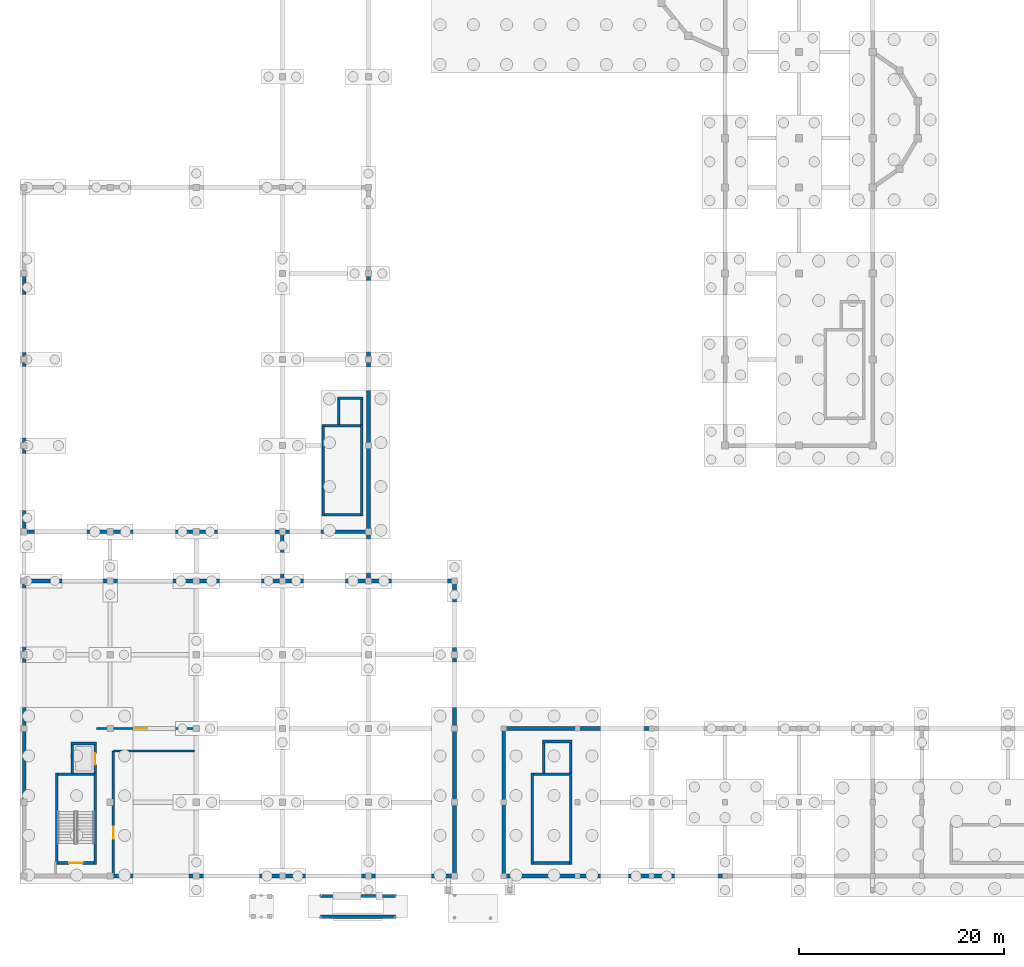
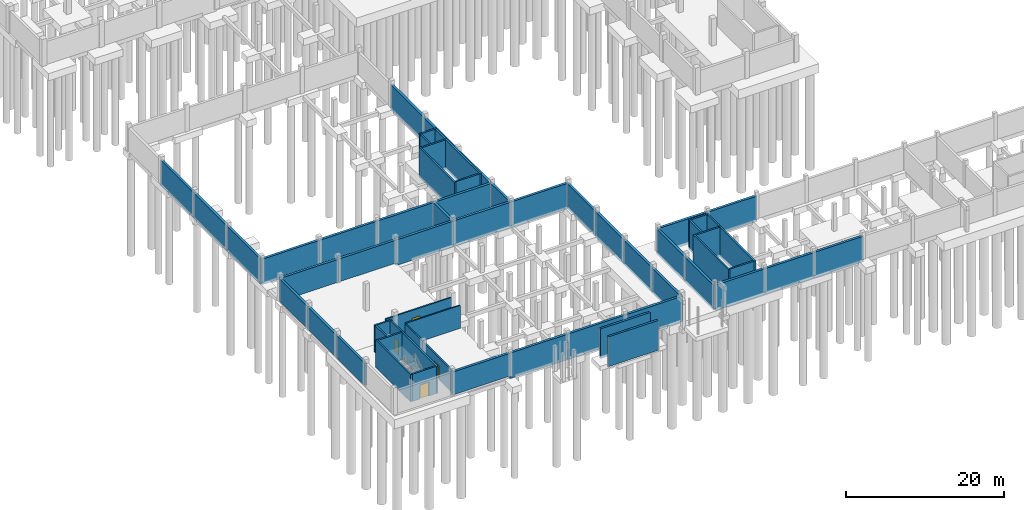
# One storey, part 15 of 22: 61 walls, 4 doors, 4 openings.
"""IFC4 building model written with IfcOpenShell, lengths in metres."""

import ifcopenshell
import ifcopenshell.guid

model = None  # the IFC model being written
_history = None  # IfcOwnerHistory: only IFC2X3 demands one
_inside = {}  # id of a spatial element -> (the spatial element, [elements in it])
_under = {}  # id of a project, library or spatial element -> (it, [spatial elements below it])
_declared = {}  # id of a project -> (the project, [libraries it declares])
_typed = {}  # id of a type object -> (the type object, [elements of that type])
_made_of = {}  # id of a material, layer set ... -> (it, [elements and type objects made of it])


def new_model(schema):
    """Start an empty IFC model of exactly this schema.

    Asked for "IFC4X3", IfcOpenShell would pick the latest addendum, in which some entities
    have other attributes; the version numbers below select the first issue.
    IFC2X3 requires an IfcOwnerHistory on every rooted entity: one is made here for all.
    """
    global model, _history
    if schema == "IFC4X3":
        model = ifcopenshell.file(schema_version=(4, 3, 0, 0))
    else:
        model = ifcopenshell.file(schema=schema)
    _inside.clear()
    _under.clear()
    _declared.clear()
    _typed.clear()
    _made_of.clear()
    _history = None
    if model.schema == "IFC2X3":
        org = make("IfcOrganization", Name="unknown")
        user = make(
            "IfcPersonAndOrganization",
            ThePerson=make("IfcPerson", FamilyName="unknown"),
            TheOrganization=org,
        )
        app = make(
            "IfcApplication",
            ApplicationDeveloper=org,
            Version="unknown",
            ApplicationFullName="unknown",
            ApplicationIdentifier="unknown",
        )
        _history = make(
            "IfcOwnerHistory",
            OwningUser=user,
            OwningApplication=app,
            ChangeAction="ADDED",
            CreationDate=0,
        )
    return model


def make(cls, **values):
    """One entity of the class cls with the attributes given. An attribute that is None is left unset."""
    return model.create_entity(
        cls, **{name: value for name, value in values.items() if value is not None}
    )


def rooted(cls, **values):
    """An entity with a GlobalId (a new one), such as an element, a storey or a relation."""
    return make(cls, GlobalId=ifcopenshell.guid.new(), OwnerHistory=_history, **values)


def si_unit(unit_type, name, prefix=None):
    """IfcSIUnit, for example si_unit("LENGTHUNIT", "METRE", prefix="MILLI")."""
    return make("IfcSIUnit", UnitType=unit_type, Prefix=prefix, Name=name)


def assignment(units):
    """IfcUnitAssignment: the units of a project."""
    return None if units is None else make("IfcUnitAssignment", Units=units)


def point(xyz):
    """IfcCartesianPoint."""
    return None if xyz is None else make("IfcCartesianPoint", Coordinates=xyz)


def direction(xyz):
    """IfcDirection."""
    return None if xyz is None else make("IfcDirection", DirectionRatios=xyz)


def frame(location, z_axis=None, x_axis=None):
    """IfcAxis2Placement3D, a coordinate frame: its origin and axes. An axis left out is left unset."""
    return make(
        "IfcAxis2Placement3D",
        Location=point(location),
        Axis=direction(z_axis),
        RefDirection=direction(x_axis),
    )


def frame_2d(location, x_axis=None):
    """IfcAxis2Placement2D, a coordinate frame in the plane: its origin and x axis."""
    return make(
        "IfcAxis2Placement2D", Location=point(location), RefDirection=direction(x_axis)
    )


def origin():
    """The frame at (0, 0, 0) with its axes left unset."""
    return frame((0.0, 0.0, 0.0))


def place(relative_to, where):
    """IfcLocalPlacement: puts the frame where relative to a parent placement (None: the world)."""
    return make(
        "IfcLocalPlacement", PlacementRelTo=relative_to, RelativePlacement=where
    )


def context(
    kind, dimensions, precision=None, world=None, true_north=None, identifier=None
):
    """IfcGeometricRepresentationContext, for example the 3D "Model" context."""
    return make(
        "IfcGeometricRepresentationContext",
        ContextIdentifier=identifier,
        ContextType=kind,
        CoordinateSpaceDimension=dimensions,
        Precision=precision,
        WorldCoordinateSystem=world,
        TrueNorth=true_north,
    )


def subcontext(parent, identifier, kind, view, scale=None):
    """IfcGeometricRepresentationSubContext, for example "Body" below "Model"."""
    return make(
        "IfcGeometricRepresentationSubContext",
        ContextIdentifier=identifier,
        ContextType=kind,
        ParentContext=parent,
        TargetScale=scale,
        TargetView=view,
    )


def project(units=None, contexts=None):
    """IfcProject with its units and contexts."""
    return rooted(
        "IfcProject",
        Name="project",
        RepresentationContexts=contexts,
        UnitsInContext=assignment(units),
    )


def spatial(cls, under=None, at=None, **own):
    """A site, building, storey or space (cls), placed at a placement, below another one or the project."""
    s = rooted(cls, ObjectPlacement=at, **own)
    if under is not None:
        _under.setdefault(under.id(), (under, []))[1].append(s)
    return s


def profile(cls, at=None, kind="AREA", **sizes):
    """A parametric profile (cls). Its sizes go by their IFC names, for example OverallWidth=200.0."""
    return make(cls, ProfileType=kind, Position=at, **sizes)


def rectangle(**sizes):
    """IfcRectangleProfileDef."""
    return profile("IfcRectangleProfileDef", **sizes)


def extrude(swept, where, along, depth):
    """IfcExtrudedAreaSolid: the profile swept, set in the frame where, extruded along a direction by depth."""
    return make(
        "IfcExtrudedAreaSolid",
        SweptArea=swept,
        Position=where,
        ExtrudedDirection=direction(along),
        Depth=depth,
    )


def shape(context_of_items, identifier, shape_type, items):
    """IfcShapeRepresentation: the items that make up one representation, for example the "Body"."""
    return make(
        "IfcShapeRepresentation",
        ContextOfItems=context_of_items,
        RepresentationIdentifier=identifier,
        RepresentationType=shape_type,
        Items=items,
    )


def material(Name=None, Category=None):
    """IfcMaterial."""
    return make("IfcMaterial", Name=Name, Category=Category)


def layer(
    of_material, thickness, ventilated=None, Name=None, Category=None, Priority=None
):
    """IfcMaterialLayer: one layer of a wall or slab, of a material (None: an air gap)."""
    return make(
        "IfcMaterialLayer",
        Material=of_material,
        LayerThickness=thickness,
        IsVentilated=ventilated,
        Name=Name,
        Category=Category,
        Priority=Priority,
    )


def layer_set(layers, Name=None):
    """IfcMaterialLayerSet."""
    return make("IfcMaterialLayerSet", MaterialLayers=layers, LayerSetName=Name)


def made_of(thing, what):
    """Note that an element or type object is made of a material, layer set ...; save() writes the relation."""
    if what is not None:
        _made_of.setdefault(what.id(), (what, []))[1].append(thing)
    return thing


def type_object(cls, material=None, **own):
    """A type object (cls), such as IfcWallType, which elements share."""
    return made_of(rooted(cls, **own), material)


def element(
    cls,
    number,
    at=None,
    inside=None,
    cuts=None,
    type_object=None,
    material=None,
    context=None,
    identifier="Body",
    shape_type=None,
    held_by="IfcProductDefinitionShape",
    body=None,
    shapes=None,
    **own,
):
    """One element of the class cls, such as IfcWall. Its Tag is "e" and its number.

    at: its placement. inside: the storey or other place that contains it. cuts: it is an
    opening in that element (IfcRelVoidsElement). A single representation is given by context,
    identifier, shape_type and body (its items); several are given by shapes. held_by: the class
    of the entity that holds the representations. save() writes the other relations.
    """
    e = rooted(cls, Tag="e%d" % number, ObjectPlacement=at, **own)
    if body is not None:
        shapes = [shape(context, identifier, shape_type, body)]
    if shapes is not None:
        e.Representation = make(held_by, Representations=shapes)
    if inside is not None:
        _inside.setdefault(inside.id(), (inside, []))[1].append(e)
    if cuts is not None:
        rooted(
            "IfcRelVoidsElement", RelatingBuildingElement=cuts, RelatedOpeningElement=e
        )
    if type_object is not None:
        _typed.setdefault(type_object.id(), (type_object, []))[1].append(e)
    return made_of(e, material)


def fill(opening, filler):
    """IfcRelFillsElement: the door or window that sits in an opening."""
    return rooted(
        "IfcRelFillsElement",
        RelatingOpeningElement=opening,
        RelatedBuildingElement=filler,
    )


def aggregate(whole, parts):
    """IfcRelAggregates: a whole, such as a stair, and the parts it consists of."""
    return rooted("IfcRelAggregates", RelatingObject=whole, RelatedObjects=parts)


def save(model, path):
    """Write the relations noted so far, then the file.

    IfcRelAggregates (storeys below a building ...), IfcRelContainedInSpatialStructure (elements
    in a storey), IfcRelDefinesByType, IfcRelAssociatesMaterial and IfcRelDeclares: one each for
    every whole, place, type object, material and project.
    """
    for whole, parts in _under.values():
        aggregate(whole, parts)
    for where, things in _inside.values():
        rooted(
            "IfcRelContainedInSpatialStructure",
            RelatedElements=things,
            RelatingStructure=where,
        )
    for kind, things in _typed.values():
        rooted("IfcRelDefinesByType", RelatedObjects=things, RelatingType=kind)
    for what, things in _made_of.values():
        rooted("IfcRelAssociatesMaterial", RelatedObjects=things, RelatingMaterial=what)
    for by, libraries in _declared.values():
        rooted("IfcRelDeclares", RelatingContext=by, RelatedDefinitions=libraries)
    model.write(path)


model = new_model("IFC4")

# Units and contexts
model_context = context("Model", 3, precision=1e-05, world=origin(), true_north=direction((0.0, 1.0)))
body_context = subcontext(model_context, "Body", "Model", "MODEL_VIEW")
ifc_project = project(units=[si_unit("LENGTHUNIT", "METRE"), si_unit("AREAUNIT", "SQUARE_METRE"), si_unit("VOLUMEUNIT", "CUBIC_METRE"), si_unit("PLANEANGLEUNIT", "RADIAN"), si_unit("MASSUNIT", "GRAM", prefix="KILO")], contexts=[model_context])

# Site, building, storey
site_placement = place(None, origin())
site = spatial("IfcSite", under=ifc_project, at=site_placement, CompositionType="ELEMENT")
building_placement = place(site_placement, origin())
building = spatial("IfcBuilding", under=site, at=building_placement, Name="Kahlenmark Community Centre", CompositionType="ELEMENT")
storey_placement = place(building_placement, frame((0.0, 0.0, -4.199951171875)))
storey = spatial("IfcBuildingStorey", under=building, at=storey_placement, Name="B1", CompositionType="ELEMENT", Elevation=-4.199951171875)

# Wall, opening, door
ifc_material_1 = material(Name="Concrete C35/45", Category="concrete")
ifc_layer_1 = layer(ifc_material_1, 0.25)
ifc_layer_set_1 = layer_set([ifc_layer_1], Name="Concrete C35/45")
wall_type_1 = type_object("IfcWallType", Name="WT-CORE-250", PredefinedType="SHEAR", material=ifc_layer_set_1)
wall_1_placement = place(storey_placement, frame((7.300048828125, 10.074951171875, 0.0), z_axis=(0.0, 0.0, 1.0), x_axis=(1.0, 0.0, 0.0)))
wall_1 = element("IfcWall", 1, at=wall_1_placement, inside=storey, type_object=wall_type_1, Name="Core K1 shear wall WL-CORE-K1-B1-0001", PredefinedType="SHEAR", context=body_context, shape_type="SweptSolid", body=[
    extrude(rectangle(XDim=3.5, YDim=0.25, at=frame_2d((1.75, 0.0))), origin(), (0.0, 0.0, 1.0), 4.199951171875),
])
opening_1_placement = place(wall_1_placement, frame((1.10009765625, 0.0, -0.010009765625)))
opening_1 = element("IfcOpeningElement", 2, at=opening_1_placement, cuts=wall_1, Name="Opening FD-K1-B1", PredefinedType="OPENING", context=body_context, shape_type="SweptSolid", body=[
    extrude(rectangle(XDim=1.300048828125, YDim=2.159912109375, at=frame_2d((0.64990234375, 1.080078125))), frame((0.0, 0.135009765625, 0.0), z_axis=(0.0, -1.0, 0.0), x_axis=(1.0, 0.0, 0.0)), (0.0, 0.0, 1.0), 0.27001953125),
])
ifc_material_2 = material(Name="Fire-rated steel-framed timber door FD60S", Category="steel")
door_type_1 = type_object("IfcDoorType", Name="DT-FD-K1-B1", OperationType="NOTDEFINED", PredefinedType="DOOR", material=ifc_material_2)
door_1_placement = place(opening_1_placement, frame((0.0, 0.0, 0.010009765625)))
door_1 = element("IfcDoor", 3, at=door_1_placement, inside=storey, type_object=door_type_1, Name="Core K1 stair fire door B1", OperationType="SINGLE_SWING_RIGHT", OverallHeight=2.14990234375, OverallWidth=1.300048828125, PredefinedType="DOOR", context=body_context, shape_type="SweptSolid", body=[
    extrude(rectangle(XDim=1.300048828125, YDim=2.14990234375, at=frame_2d((0.64990234375, 1.074951171875))), frame((0.0, 0.02490234375, 0.0), z_axis=(0.0, -1.0, 0.0), x_axis=(1.0, 0.0, 0.0)), (0.0, 0.0, 1.0), 0.050048828125),
])
fill(opening_1, door_1)

# Walls
wall_2_placement = place(storey_placement, frame((7.175048828125, 9.949951171875, 0.0), z_axis=(0.0, 0.0, 1.0), x_axis=(0.0, 1.0, 0.0)))
element("IfcWall", 4, at=wall_2_placement, inside=storey, type_object=wall_type_1, Name="Core K1 shear wall WL-CORE-K1-B1-0002", PredefinedType="SHEAR", context=body_context, shape_type="SweptSolid", body=[
    extrude(rectangle(XDim=8.900146484375, YDim=0.25, at=frame_2d((4.4501953125, 0.0))), origin(), (0.0, 0.0, 1.0), 4.199951171875),
])
wall_3_placement = place(storey_placement, frame((10.800048828125, 18.72509765625, 0.0), z_axis=(0.0, 0.0, 1.0), x_axis=(-1.0, 0.0, 0.0)))
element("IfcWall", 5, at=wall_3_placement, inside=storey, type_object=wall_type_1, Name="Core K1 shear wall WL-CORE-K1-B1-0003", PredefinedType="SHEAR", context=body_context, shape_type="SweptSolid", body=[
    extrude(rectangle(XDim=3.5, YDim=0.25, at=frame_2d((1.75, 0.0))), origin(), (0.0, 0.0, 1.0), 4.199951171875),
])
wall_4_placement = place(storey_placement, frame((10.925048828125, 9.949951171875, 0.0), z_axis=(0.0, 0.0, 1.0), x_axis=(0.0, 1.0, 0.0)))
element("IfcWall", 6, at=wall_4_placement, inside=storey, type_object=wall_type_1, Name="Core K1 shear wall WL-CORE-K1-B1-0004", PredefinedType="SHEAR", context=body_context, shape_type="SweptSolid", body=[
    extrude(rectangle(XDim=8.900146484375, YDim=0.25, at=frame_2d((4.4501953125, 0.0))), origin(), (0.0, 0.0, 1.0), 4.199951171875),
])
wall_5_placement = place(storey_placement, frame((8.590087890625, 21.735107421875, 0.0), z_axis=(0.0, 0.0, 1.0), x_axis=(1.0, 0.0, 0.0)))
element("IfcWall", 7, at=wall_5_placement, inside=storey, type_object=wall_type_1, Name="Core K1 shear wall WL-CORE-K1-B1-0005", PredefinedType="SHEAR", context=body_context, shape_type="SweptSolid", body=[
    extrude(rectangle(XDim=2.4599609375, YDim=0.25, at=frame_2d((1.22998046875, 0.0))), origin(), (0.0, 0.0, 1.0), 4.199951171875),
])

# Wall, opening, door
wall_6_placement = place(storey_placement, frame((10.925048828125, 18.85009765625, 0.0), z_axis=(0.0, 0.0, 1.0), x_axis=(0.0, 1.0, 0.0)))
wall_6 = element("IfcWall", 8, at=wall_6_placement, inside=storey, type_object=wall_type_1, Name="Core K1 shear wall WL-CORE-K1-B1-0006", PredefinedType="SHEAR", context=body_context, shape_type="SweptSolid", body=[
    extrude(rectangle(XDim=2.760009765625, YDim=0.25, at=frame_2d((1.3798828125, 0.0))), origin(), (0.0, 0.0, 1.0), 4.199951171875),
])
opening_2_placement = place(wall_6_placement, frame((0.830078125, 0.0, -0.010009765625)))
opening_2 = element("IfcOpeningElement", 9, at=opening_2_placement, cuts=wall_6, Name="Opening LD-1", PredefinedType="OPENING", context=body_context, shape_type="SweptSolid", body=[
    extrude(rectangle(XDim=1.10009765625, YDim=2.159912109375, at=frame_2d((0.550048828125, 1.080078125))), frame((0.0, 0.135009765625, 0.0), z_axis=(0.0, -1.0, 0.0), x_axis=(1.0, 0.0, 0.0)), (0.0, 0.0, 1.0), 0.27001953125),
])
ifc_material_3 = material(Name="Brushed stainless steel sliding lift landing door", Category="steel")
door_type_2 = type_object("IfcDoorType", Name="DT-LD-K1", OperationType="SLIDING_TO_LEFT", PredefinedType="DOOR", material=ifc_material_3)
door_2_placement = place(opening_2_placement, frame((0.0, 0.0, 0.010009765625)))
door_2 = element("IfcDoor", 10, at=door_2_placement, inside=storey, type_object=door_type_2, Name="Lift LF-01 sliding landing door B1", OperationType="SLIDING_TO_LEFT", OverallHeight=2.14990234375, OverallWidth=1.10009765625, PredefinedType="DOOR", context=body_context, shape_type="SweptSolid", body=[
    extrude(rectangle(XDim=1.10009765625, YDim=2.14990234375, at=frame_2d((0.550048828125, 1.074951171875))), frame((0.0, 0.02490234375, 0.0), z_axis=(0.0, -1.0, 0.0), x_axis=(1.0, 0.0, 0.0)), (0.0, 0.0, 1.0), 0.050048828125),
])
fill(opening_2, door_2)

# Walls
wall_7_placement = place(storey_placement, frame((8.715087890625, 18.85009765625, 0.0), z_axis=(0.0, 0.0, 1.0), x_axis=(0.0, 1.0, 0.0)))
element("IfcWall", 11, at=wall_7_placement, inside=storey, type_object=wall_type_1, Name="Core K1 shear wall WL-CORE-K1-B1-0007", PredefinedType="SHEAR", context=body_context, shape_type="SweptSolid", body=[
    extrude(rectangle(XDim=3.010009765625, YDim=0.25, at=frame_2d((1.5048828125, 0.0))), origin(), (0.0, 0.0, 1.0), 4.199951171875),
])
wall_8_placement = place(storey_placement, frame((33.300048828125, 44.074951171875, -0.400146484375), z_axis=(0.0, 0.0, 1.0), x_axis=(1.0, 0.0, 0.0)))
element("IfcWall", 12, at=wall_8_placement, inside=storey, type_object=wall_type_1, Name="Core K2 shear wall WL-CORE-K2-B1-0036", PredefinedType="SHEAR", context=body_context, shape_type="SweptSolid", body=[
    extrude(rectangle(XDim=3.5, YDim=0.25, at=frame_2d((1.75, 0.0))), origin(), (0.0, 0.0, 1.0), 4.60009765625),
])
wall_9_placement = place(storey_placement, frame((33.175048828125, 43.949951171875, -0.400146484375), z_axis=(0.0, 0.0, 1.0), x_axis=(0.0, 1.0, 0.0)))
element("IfcWall", 13, at=wall_9_placement, inside=storey, type_object=wall_type_1, Name="Core K2 shear wall WL-CORE-K2-B1-0037", PredefinedType="SHEAR", context=body_context, shape_type="SweptSolid", body=[
    extrude(rectangle(XDim=8.900146484375, YDim=0.25, at=frame_2d((4.4501953125, 0.0))), origin(), (0.0, 0.0, 1.0), 4.60009765625),
])
wall_10_placement = place(storey_placement, frame((36.800048828125, 52.72509765625, -0.400146484375), z_axis=(0.0, 0.0, 1.0), x_axis=(-1.0, 0.0, 0.0)))
element("IfcWall", 14, at=wall_10_placement, inside=storey, type_object=wall_type_1, Name="Core K2 shear wall WL-CORE-K2-B1-0038", PredefinedType="SHEAR", context=body_context, shape_type="SweptSolid", body=[
    extrude(rectangle(XDim=3.5, YDim=0.25, at=frame_2d((1.75, 0.0))), origin(), (0.0, 0.0, 1.0), 4.60009765625),
])
wall_11_placement = place(storey_placement, frame((36.925048828125, 43.949951171875, -0.400146484375), z_axis=(0.0, 0.0, 1.0), x_axis=(0.0, 1.0, 0.0)))
element("IfcWall", 15, at=wall_11_placement, inside=storey, type_object=wall_type_1, Name="Core K2 shear wall WL-CORE-K2-B1-0039", PredefinedType="SHEAR", context=body_context, shape_type="SweptSolid", body=[
    extrude(rectangle(XDim=8.900146484375, YDim=0.25, at=frame_2d((4.4501953125, 0.0))), origin(), (0.0, 0.0, 1.0), 4.60009765625),
])
for number, where, z_axis, x_axis, name in (
    (16, (34.590087890625, 55.43505859375, -0.400146484375), (0.0, 0.0, 1.0), (1.0, 0.0, 0.0), "Core K2 shear wall WL-CORE-K2-B1-0040"),
    (17, (34.715087890625, 52.85009765625, -0.400146484375), (0.0, 0.0, 1.0), (0.0, 1.0, 0.0), "Core K2 shear wall WL-CORE-K2-B1-0041"),
):
    element("IfcWall", number, at=place(storey_placement, frame(where, z_axis=z_axis, x_axis=x_axis)), inside=storey, type_object=wall_type_1, Name=name, PredefinedType="SHEAR", context=body_context, shape_type="SweptSolid", body=[
        extrude(rectangle(XDim=2.4599609375, YDim=0.25, at=frame_2d((1.22998046875, 0.0))), origin(), (0.0, 0.0, 1.0), 4.60009765625),
    ])
wall_12_placement = place(storey_placement, frame((36.925048828125, 52.85009765625, -0.400146484375), z_axis=(0.0, 0.0, 1.0), x_axis=(0.0, 1.0, 0.0)))
element("IfcWall", 18, at=wall_12_placement, inside=storey, type_object=wall_type_1, Name="Core K2 shear wall WL-CORE-K2-B1-0042", PredefinedType="SHEAR", context=body_context, shape_type="SweptSolid", body=[
    extrude(rectangle(XDim=2.7099609375, YDim=0.25, at=frame_2d((1.35498046875, 0.0))), origin(), (0.0, 0.0, 1.0), 4.60009765625),
])
wall_13_placement = place(storey_placement, frame((53.699951171875, 10.074951171875, -0.400146484375), z_axis=(0.0, 0.0, 1.0), x_axis=(1.0, 0.0, 0.0)))
element("IfcWall", 19, at=wall_13_placement, inside=storey, type_object=wall_type_1, Name="Core K3 shear wall WL-CORE-K3-B1-0064", PredefinedType="SHEAR", context=body_context, shape_type="SweptSolid", body=[
    extrude(rectangle(XDim=3.5, YDim=0.25, at=frame_2d((1.75, 0.0))), origin(), (0.0, 0.0, 1.0), 4.60009765625),
])
wall_14_placement = place(storey_placement, frame((53.574951171875, 9.949951171875, -0.400146484375), z_axis=(0.0, 0.0, 1.0), x_axis=(0.0, 1.0, 0.0)))
element("IfcWall", 20, at=wall_14_placement, inside=storey, type_object=wall_type_1, Name="Core K3 shear wall WL-CORE-K3-B1-0065", PredefinedType="SHEAR", context=body_context, shape_type="SweptSolid", body=[
    extrude(rectangle(XDim=8.900146484375, YDim=0.25, at=frame_2d((4.4501953125, 0.0))), origin(), (0.0, 0.0, 1.0), 4.60009765625),
])
wall_15_placement = place(storey_placement, frame((57.199951171875, 18.72509765625, -0.400146484375), z_axis=(0.0, 0.0, 1.0), x_axis=(-1.0, 0.0, 0.0)))
element("IfcWall", 21, at=wall_15_placement, inside=storey, type_object=wall_type_1, Name="Core K3 shear wall WL-CORE-K3-B1-0066", PredefinedType="SHEAR", context=body_context, shape_type="SweptSolid", body=[
    extrude(rectangle(XDim=3.5, YDim=0.25, at=frame_2d((1.75, 0.0))), origin(), (0.0, 0.0, 1.0), 4.60009765625),
])
wall_16_placement = place(storey_placement, frame((57.324951171875, 9.949951171875, -0.400146484375), z_axis=(0.0, 0.0, 1.0), x_axis=(0.0, 1.0, 0.0)))
element("IfcWall", 22, at=wall_16_placement, inside=storey, type_object=wall_type_1, Name="Core K3 shear wall WL-CORE-K3-B1-0067", PredefinedType="SHEAR", context=body_context, shape_type="SweptSolid", body=[
    extrude(rectangle(XDim=8.900146484375, YDim=0.25, at=frame_2d((4.4501953125, 0.0))), origin(), (0.0, 0.0, 1.0), 4.60009765625),
])
wall_17_placement = place(storey_placement, frame((54.590087890625, 21.93505859375, -0.400146484375), z_axis=(0.0, 0.0, 1.0), x_axis=(1.0, 0.0, 0.0)))
element("IfcWall", 23, at=wall_17_placement, inside=storey, type_object=wall_type_1, Name="Core K3 shear wall WL-CORE-K3-B1-0068", PredefinedType="SHEAR", context=body_context, shape_type="SweptSolid", body=[
    extrude(rectangle(XDim=2.85986328125, YDim=0.25, at=frame_2d((1.429931640625, 0.0))), origin(), (0.0, 0.0, 1.0), 4.60009765625),
])
wall_18_placement = place(storey_placement, frame((57.324951171875, 18.85009765625, -0.400146484375), z_axis=(0.0, 0.0, 1.0), x_axis=(0.0, 1.0, 0.0)))
element("IfcWall", 24, at=wall_18_placement, inside=storey, type_object=wall_type_1, Name="Core K3 shear wall WL-CORE-K3-B1-0069", PredefinedType="SHEAR", context=body_context, shape_type="SweptSolid", body=[
    extrude(rectangle(XDim=2.9599609375, YDim=0.25, at=frame_2d((1.47998046875, 0.0))), origin(), (0.0, 0.0, 1.0), 4.60009765625),
])
wall_19_placement = place(storey_placement, frame((54.715087890625, 18.85009765625, -0.400146484375), z_axis=(0.0, 0.0, 1.0), x_axis=(0.0, 1.0, 0.0)))
element("IfcWall", 25, at=wall_19_placement, inside=storey, type_object=wall_type_1, Name="Core K3 shear wall WL-CORE-K3-B1-0070", PredefinedType="SHEAR", context=body_context, shape_type="SweptSolid", body=[
    extrude(rectangle(XDim=3.2099609375, YDim=0.25, at=frame_2d((1.60498046875, 0.0))), origin(), (0.0, 0.0, 1.0), 4.60009765625),
])
ifc_layer_2 = layer(ifc_material_1, 0.360107421875)
ifc_layer_set_2 = layer_set([ifc_layer_2], Name="Concrete C35/45")
wall_type_2 = type_object("IfcWallType", Name="WT-EW-B1-360", PredefinedType="SOLIDWALL", material=ifc_layer_set_2)
wall_20_placement = place(storey_placement, frame((12.39990234375, 8.800048828125, 0.0), z_axis=(0.0, 0.0, 1.0), x_axis=(1.0, 0.0, 0.0)))
element("IfcWall", 26, at=wall_20_placement, inside=storey, type_object=wall_type_2, Name="B1 foundation wall 0002", PredefinedType="SOLIDWALL", context=body_context, shape_type="SweptSolid", body=[
    extrude(rectangle(XDim=8.400146484375, YDim=0.360107421875, at=frame_2d((4.2001953125, 0.0))), origin(), (0.0, 0.0, 1.0), 3.5400390625),
])
wall_21_placement = place(storey_placement, frame((20.800048828125, 8.800048828125, -0.400146484375), z_axis=(0.0, 0.0, 1.0), x_axis=(1.0, 0.0, 0.0)))
element("IfcWall", 27, at=wall_21_placement, inside=storey, type_object=wall_type_2, Name="B1 foundation wall 0003", PredefinedType="SOLIDWALL", context=body_context, shape_type="SweptSolid", body=[
    extrude(rectangle(XDim=8.39990234375, YDim=0.360107421875, at=frame_2d((4.199951171875, 0.0))), origin(), (0.0, 0.0, 1.0), 3.940185546875),
])
wall_22_placement = place(storey_placement, frame((29.199951171875, 8.800048828125, -0.400146484375), z_axis=(0.0, 0.0, 1.0), x_axis=(1.0, 0.0, 0.0)))
element("IfcWall", 28, at=wall_22_placement, inside=storey, type_object=wall_type_2, Name="B1 foundation wall 0004", PredefinedType="SOLIDWALL", context=body_context, shape_type="SweptSolid", body=[
    extrude(rectangle(XDim=8.400146484375, YDim=0.360107421875, at=frame_2d((4.2001953125, 0.0))), origin(), (0.0, 0.0, 1.0), 3.940185546875),
])
wall_23_placement = place(storey_placement, frame((37.60009765625, 8.800048828125, -0.400146484375), z_axis=(0.0, 0.0, 1.0), x_axis=(1.0, 0.0, 0.0)))
element("IfcWall", 29, at=wall_23_placement, inside=storey, type_object=wall_type_2, Name="B1 foundation wall 0005", PredefinedType="SOLIDWALL", context=body_context, shape_type="SweptSolid", body=[
    extrude(rectangle(XDim=8.39990234375, YDim=0.360107421875, at=frame_2d((4.199951171875, 0.0))), origin(), (0.0, 0.0, 1.0), 3.940185546875),
])
wall_24_placement = place(storey_placement, frame((4.0, 37.60009765625, 0.0), z_axis=(0.0, 0.0, 1.0), x_axis=(1.0, 0.0, 0.0)))
element("IfcWall", 30, at=wall_24_placement, inside=storey, type_object=wall_type_2, Name="B1 foundation wall 0006", PredefinedType="SOLIDWALL", context=body_context, shape_type="SweptSolid", body=[
    extrude(rectangle(XDim=8.39990234375, YDim=0.360107421875, at=frame_2d((4.199951171875, 0.0))), origin(), (0.0, 0.0, 1.0), 3.5400390625),
])
wall_25_placement = place(storey_placement, frame((12.39990234375, 37.60009765625, 0.0), z_axis=(0.0, 0.0, 1.0), x_axis=(1.0, 0.0, 0.0)))
element("IfcWall", 31, at=wall_25_placement, inside=storey, type_object=wall_type_2, Name="B1 foundation wall 0007", PredefinedType="SOLIDWALL", context=body_context, shape_type="SweptSolid", body=[
    extrude(rectangle(XDim=8.400146484375, YDim=0.360107421875, at=frame_2d((4.2001953125, 0.0))), origin(), (0.0, 0.0, 1.0), 3.5400390625),
])
wall_26_placement = place(storey_placement, frame((20.800048828125, 37.60009765625, -0.400146484375), z_axis=(0.0, 0.0, 1.0), x_axis=(1.0, 0.0, 0.0)))
element("IfcWall", 32, at=wall_26_placement, inside=storey, type_object=wall_type_2, Name="B1 foundation wall 0008", PredefinedType="SOLIDWALL", context=body_context, shape_type="SweptSolid", body=[
    extrude(rectangle(XDim=8.39990234375, YDim=0.360107421875, at=frame_2d((4.199951171875, 0.0))), origin(), (0.0, 0.0, 1.0), 3.940185546875),
])
wall_27_placement = place(storey_placement, frame((29.199951171875, 37.60009765625, -0.400146484375), z_axis=(0.0, 0.0, 1.0), x_axis=(1.0, 0.0, 0.0)))
element("IfcWall", 33, at=wall_27_placement, inside=storey, type_object=wall_type_2, Name="B1 foundation wall 0009", PredefinedType="SOLIDWALL", context=body_context, shape_type="SweptSolid", body=[
    extrude(rectangle(XDim=8.400146484375, YDim=0.360107421875, at=frame_2d((4.2001953125, 0.0))), origin(), (0.0, 0.0, 1.0), 3.940185546875),
])
wall_28_placement = place(storey_placement, frame((37.60009765625, 37.60009765625, -0.400146484375), z_axis=(0.0, 0.0, 1.0), x_axis=(1.0, 0.0, 0.0)))
element("IfcWall", 34, at=wall_28_placement, inside=storey, type_object=wall_type_2, Name="B1 foundation wall 0010", PredefinedType="SOLIDWALL", context=body_context, shape_type="SweptSolid", body=[
    extrude(rectangle(XDim=8.39990234375, YDim=0.360107421875, at=frame_2d((4.199951171875, 0.0))), origin(), (0.0, 0.0, 1.0), 3.940185546875),
])
for number, where, z_axis, x_axis, name in (
    (35, (4.0, 16.0, 0.0), (0.0, 0.0, 1.0), (0.0, 1.0, 0.0), "B1 foundation wall 0012"),
    (36, (4.0, 23.199951171875, 0.0), (0.0, 0.0, 1.0), (0.0, 1.0, 0.0), "B1 foundation wall 0013"),
):
    element("IfcWall", number, at=place(storey_placement, frame(where, z_axis=z_axis, x_axis=x_axis)), inside=storey, type_object=wall_type_2, Name=name, PredefinedType="SOLIDWALL", context=body_context, shape_type="SweptSolid", body=[
        extrude(rectangle(XDim=7.199951171875, YDim=0.360107421875, at=frame_2d((3.60009765625, 0.0))), origin(), (0.0, 0.0, 1.0), 3.43994140625),
    ])
wall_29_placement = place(storey_placement, frame((4.0, 30.39990234375, 0.0), z_axis=(0.0, 0.0, 1.0), x_axis=(0.0, 1.0, 0.0)))
element("IfcWall", 37, at=wall_29_placement, inside=storey, type_object=wall_type_2, Name="B1 foundation wall 0014", PredefinedType="SOLIDWALL", context=body_context, shape_type="SweptSolid", body=[
    extrude(rectangle(XDim=7.2001953125, YDim=0.360107421875, at=frame_2d((3.60009765625, 0.0))), origin(), (0.0, 0.0, 1.0), 3.43994140625),
])
for number, where, z_axis, x_axis, name in (
    (38, (46.0, 8.800048828125, -0.400146484375), (0.0, 0.0, 1.0), (0.0, 1.0, 0.0), "B1 foundation wall 0015"),
    (39, (46.0, 16.0, -0.400146484375), (0.0, 0.0, 1.0), (0.0, 1.0, 0.0), "B1 foundation wall 0016"),
    (40, (46.0, 23.199951171875, -0.400146484375), (0.0, 0.0, 1.0), (0.0, 1.0, 0.0), "B1 foundation wall 0017"),
):
    element("IfcWall", number, at=place(storey_placement, frame(where, z_axis=z_axis, x_axis=x_axis)), inside=storey, type_object=wall_type_2, Name=name, PredefinedType="SOLIDWALL", context=body_context, shape_type="SweptSolid", body=[
        extrude(rectangle(XDim=7.199951171875, YDim=0.360107421875, at=frame_2d((3.60009765625, 0.0))), origin(), (0.0, 0.0, 1.0), 3.840087890625),
    ])
wall_30_placement = place(storey_placement, frame((46.0, 30.39990234375, -0.400146484375), z_axis=(0.0, 0.0, 1.0), x_axis=(0.0, 1.0, 0.0)))
element("IfcWall", 41, at=wall_30_placement, inside=storey, type_object=wall_type_2, Name="B1 foundation wall 0018", PredefinedType="SOLIDWALL", context=body_context, shape_type="SweptSolid", body=[
    extrude(rectangle(XDim=7.2001953125, YDim=0.360107421875, at=frame_2d((3.60009765625, 0.0))), origin(), (0.0, 0.0, 1.0), 3.840087890625),
])
wall_31_placement = place(storey_placement, frame((4.0, 42.39990234375, -0.400146484375), z_axis=(0.0, 0.0, 1.0), x_axis=(1.0, 0.0, 0.0)))
element("IfcWall", 42, at=wall_31_placement, inside=storey, type_object=wall_type_2, Name="B1 foundation wall 0019", PredefinedType="SOLIDWALL", context=body_context, shape_type="SweptSolid", body=[
    extrude(rectangle(XDim=8.39990234375, YDim=0.360107421875, at=frame_2d((4.199951171875, 0.0))), origin(), (0.0, 0.0, 1.0), 3.940185546875),
])
wall_32_placement = place(storey_placement, frame((12.39990234375, 42.39990234375, -0.400146484375), z_axis=(0.0, 0.0, 1.0), x_axis=(1.0, 0.0, 0.0)))
element("IfcWall", 43, at=wall_32_placement, inside=storey, type_object=wall_type_2, Name="B1 foundation wall 0020", PredefinedType="SOLIDWALL", context=body_context, shape_type="SweptSolid", body=[
    extrude(rectangle(XDim=8.400146484375, YDim=0.360107421875, at=frame_2d((4.2001953125, 0.0))), origin(), (0.0, 0.0, 1.0), 3.940185546875),
])
wall_33_placement = place(storey_placement, frame((20.800048828125, 42.39990234375, -0.400146484375), z_axis=(0.0, 0.0, 1.0), x_axis=(1.0, 0.0, 0.0)))
element("IfcWall", 44, at=wall_33_placement, inside=storey, type_object=wall_type_2, Name="B1 foundation wall 0021", PredefinedType="SOLIDWALL", context=body_context, shape_type="SweptSolid", body=[
    extrude(rectangle(XDim=8.39990234375, YDim=0.360107421875, at=frame_2d((4.199951171875, 0.0))), origin(), (0.0, 0.0, 1.0), 3.940185546875),
])
for number, where, z_axis, x_axis, name in (
    (45, (29.199951171875, 42.39990234375, -0.400146484375), (0.0, 0.0, 1.0), (1.0, 0.0, 0.0), "B1 foundation wall 0022"),
    (46, (4.0, 42.39990234375, -0.400146484375), (0.0, 0.0, 1.0), (0.0, 1.0, 0.0), "B1 foundation wall 0027"),
):
    element("IfcWall", number, at=place(storey_placement, frame(where, z_axis=z_axis, x_axis=x_axis)), inside=storey, type_object=wall_type_2, Name=name, PredefinedType="SOLIDWALL", context=body_context, shape_type="SweptSolid", body=[
        extrude(rectangle(XDim=8.400146484375, YDim=0.360107421875, at=frame_2d((4.2001953125, 0.0))), origin(), (0.0, 0.0, 1.0), 3.940185546875),
    ])
wall_34_placement = place(storey_placement, frame((4.0, 50.800048828125, -0.400146484375), z_axis=(0.0, 0.0, 1.0), x_axis=(0.0, 1.0, 0.0)))
element("IfcWall", 47, at=wall_34_placement, inside=storey, type_object=wall_type_2, Name="B1 foundation wall 0028", PredefinedType="SOLIDWALL", context=body_context, shape_type="SweptSolid", body=[
    extrude(rectangle(XDim=8.39990234375, YDim=0.360107421875, at=frame_2d((4.199951171875, 0.0))), origin(), (0.0, 0.0, 1.0), 3.940185546875),
])
wall_35_placement = place(storey_placement, frame((4.0, 59.199951171875, -0.400146484375), z_axis=(0.0, 0.0, 1.0), x_axis=(0.0, 1.0, 0.0)))
element("IfcWall", 48, at=wall_35_placement, inside=storey, type_object=wall_type_2, Name="B1 foundation wall 0029", PredefinedType="SOLIDWALL", context=body_context, shape_type="SweptSolid", body=[
    extrude(rectangle(XDim=8.400146484375, YDim=0.360107421875, at=frame_2d((4.2001953125, 0.0))), origin(), (0.0, 0.0, 1.0), 3.940185546875),
])
wall_36_placement = place(storey_placement, frame((37.60009765625, 42.39990234375, -0.400146484375), z_axis=(0.0, 0.0, 1.0), x_axis=(0.0, 1.0, 0.0)))
element("IfcWall", 49, at=wall_36_placement, inside=storey, type_object=wall_type_2, Name="B1 foundation wall 0031", PredefinedType="SOLIDWALL", context=body_context, shape_type="SweptSolid", body=[
    extrude(rectangle(XDim=8.400146484375, YDim=0.360107421875, at=frame_2d((4.2001953125, 0.0))), origin(), (0.0, 0.0, 1.0), 3.840087890625),
])
wall_37_placement = place(storey_placement, frame((37.60009765625, 50.800048828125, -0.400146484375), z_axis=(0.0, 0.0, 1.0), x_axis=(0.0, 1.0, 0.0)))
element("IfcWall", 50, at=wall_37_placement, inside=storey, type_object=wall_type_2, Name="B1 foundation wall 0032", PredefinedType="SOLIDWALL", context=body_context, shape_type="SweptSolid", body=[
    extrude(rectangle(XDim=8.39990234375, YDim=0.360107421875, at=frame_2d((4.199951171875, 0.0))), origin(), (0.0, 0.0, 1.0), 3.840087890625),
])
wall_38_placement = place(storey_placement, frame((37.60009765625, 59.199951171875, -0.400146484375), z_axis=(0.0, 0.0, 1.0), x_axis=(0.0, 1.0, 0.0)))
element("IfcWall", 51, at=wall_38_placement, inside=storey, type_object=wall_type_2, Name="B1 foundation wall 0033", PredefinedType="SOLIDWALL", context=body_context, shape_type="SweptSolid", body=[
    extrude(rectangle(XDim=8.400146484375, YDim=0.360107421875, at=frame_2d((4.2001953125, 0.0))), origin(), (0.0, 0.0, 1.0), 3.840087890625),
])
for number, where, z_axis, x_axis, name in (
    (52, (50.800048828125, 8.800048828125, -0.400146484375), (0.0, 0.0, 1.0), (1.0, 0.0, 0.0), "B1 foundation wall 0035"),
    (53, (58.0, 8.800048828125, -0.400146484375), (0.0, 0.0, 1.0), (1.0, 0.0, 0.0), "B1 foundation wall 0036"),
    (54, (65.199951171875, 8.800048828125, -0.400146484375), (0.0, 0.0, 1.0), (1.0, 0.0, 0.0), "B1 foundation wall 0037"),
    (55, (50.800048828125, 23.199951171875, -0.400146484375), (0.0, 0.0, 1.0), (1.0, 0.0, 0.0), "B1 foundation wall 0040"),
    (56, (58.0, 23.199951171875, -0.400146484375), (0.0, 0.0, 1.0), (1.0, 0.0, 0.0), "B1 foundation wall 0041"),
):
    element("IfcWall", number, at=place(storey_placement, frame(where, z_axis=z_axis, x_axis=x_axis)), inside=storey, type_object=wall_type_2, Name=name, PredefinedType="SOLIDWALL", context=body_context, shape_type="SweptSolid", body=[
        extrude(rectangle(XDim=7.199951171875, YDim=0.360107421875, at=frame_2d((3.60009765625, 0.0))), origin(), (0.0, 0.0, 1.0), 3.940185546875),
    ])
for number, where, z_axis, x_axis, name in (
    (57, (50.800048828125, 8.800048828125, -0.400146484375), (0.0, 0.0, 1.0), (0.0, 1.0, 0.0), "B1 foundation wall 0045"),
    (58, (50.800048828125, 16.0, -0.400146484375), (0.0, 0.0, 1.0), (0.0, 1.0, 0.0), "B1 foundation wall 0046"),
):
    element("IfcWall", number, at=place(storey_placement, frame(where, z_axis=z_axis, x_axis=x_axis)), inside=storey, type_object=wall_type_2, Name=name, PredefinedType="SOLIDWALL", context=body_context, shape_type="SweptSolid", body=[
        extrude(rectangle(XDim=7.199951171875, YDim=0.360107421875, at=frame_2d((3.60009765625, 0.0))), origin(), (0.0, 0.0, 1.0), 3.840087890625),
    ])
for number, where, z_axis, x_axis, name in (
    (59, (29.199951171875, 37.60009765625, -0.400146484375), (0.0, 0.0, 1.0), (0.0, 1.0, 0.0), "B1 foundation wall 0121"),
    (60, (37.60009765625, 37.60009765625, -0.400146484375), (0.0, 0.0, 1.0), (0.0, 1.0, 0.0), "B1 foundation wall 0122"),
):
    element("IfcWall", number, at=place(storey_placement, frame(where, z_axis=z_axis, x_axis=x_axis)), inside=storey, type_object=wall_type_2, Name=name, PredefinedType="SOLIDWALL", context=body_context, shape_type="SweptSolid", body=[
        extrude(rectangle(XDim=4.7998046875, YDim=0.360107421875, at=frame_2d((2.39990234375, 0.0))), origin(), (0.0, 0.0, 1.0), 3.940185546875),
    ])
ifc_layer_3 = layer(ifc_material_1, 0.300048828125)
ifc_layer_set_3 = layer_set([ifc_layer_3], Name="Concrete C35/45")
wall_type_3 = type_object("IfcWallType", Name="WT-FND-SUB300", PredefinedType="SHEAR", material=ifc_layer_set_3)
for number, where, z_axis, x_axis, name in (
    (61, (32.919921875, 4.8349609375, -0.400146484375), (0.0, 0.0, 1.0), (1.0, 0.0, 0.0), "B1 core/pier foundation wall 001"),
    (62, (32.919921875, 6.864990234375, -0.400146484375), (0.0, 0.0, 1.0), (1.0, 0.0, 0.0), "B1 core/pier foundation wall 002"),
):
    element("IfcWall", number, at=place(storey_placement, frame(where, z_axis=z_axis, x_axis=x_axis)), inside=storey, type_object=wall_type_3, Name=name, PredefinedType="SHEAR", context=body_context, shape_type="SweptSolid", body=[
        extrude(rectangle(XDim=7.300048828125, YDim=0.300048828125, at=frame_2d((3.64990234375, 0.0))), origin(), (0.0, 0.0, 1.0), 4.60009765625),
    ])

# Wall, opening, door
ifc_material_4 = material(Name="Masonry blockwork", Category="masonry")
ifc_layer_4 = layer(ifc_material_4, 0.199951171875)
ifc_layer_set_4 = layer_set([ifc_layer_4], Name="Masonry blockwork")
wall_type_4 = type_object("IfcWallType", Name="WT-PW-200", PredefinedType="PARTITIONING", material=ifc_layer_set_4)
wall_39_placement = place(storey_placement, frame((12.699951171875, 8.969970703125, 0.0), z_axis=(0.0, 0.0, 1.0), x_axis=(0.0, 1.0, 0.0)))
wall_39 = element("IfcWall", 63, at=wall_39_placement, inside=storey, type_object=wall_type_4, Name="Interior partition WL-INT-B1-0002", PredefinedType="PARTITIONING", context=body_context, shape_type="SweptSolid", body=[
    extrude(rectangle(XDim=12.030029296875, YDim=0.199951171875, at=frame_2d((6.01513671875, 0.0))), origin(), (0.0, 0.0, 1.0), 3.43994140625),
])
opening_3_placement = place(wall_39_placement, frame((3.466064453125, 0.0, -0.010009765625)))
opening_3 = element("IfcOpeningElement", 64, at=opening_3_placement, cuts=wall_39, Name="Opening D-B1-001", PredefinedType="OPENING", context=body_context, shape_type="SweptSolid", body=[
    extrude(rectangle(XDim=1.199951171875, YDim=2.2099609375, at=frame_2d((0.60009765625, 1.10498046875))), frame((0.0, 0.10986328125, 0.0), z_axis=(0.0, -1.0, 0.0), x_axis=(1.0, 0.0, 0.0)), (0.0, 0.0, 1.0), 0.219970703125),
])
ifc_material_5 = material(Name="Fire-rated timber door FD60S", Category="wood")
door_type_3 = type_object("IfcDoorType", Name="DT-FD60-120X220", OperationType="NOTDEFINED", PredefinedType="DOOR", material=ifc_material_5)
door_3_placement = place(opening_3_placement, frame((0.0, 0.0, 0.010009765625)))
door_3 = element("IfcDoor", 65, at=door_3_placement, inside=storey, type_object=door_type_3, Name="Interior door D-B1-001", OperationType="SINGLE_SWING_RIGHT", OverallHeight=2.199951171875, OverallWidth=1.199951171875, PredefinedType="DOOR", context=body_context, shape_type="SweptSolid", body=[
    extrude(rectangle(XDim=1.199951171875, YDim=2.199951171875, at=frame_2d((0.60009765625, 1.10009765625))), frame((0.0, 0.02490234375, 0.0), z_axis=(0.0, -1.0, 0.0), x_axis=(1.0, 0.0, 0.0)), (0.0, 0.0, 1.0), 0.050048828125),
])
fill(opening_3, door_3)

# Wall
wall_40_placement = place(storey_placement, frame((12.699951171875, 21.0, 0.0), z_axis=(0.0, 0.0, 1.0), x_axis=(1.0, 0.0, 0.0)))
element("IfcWall", 66, at=wall_40_placement, inside=storey, type_object=wall_type_4, Name="Interior partition WL-INT-B1-0003", PredefinedType="PARTITIONING", context=body_context, shape_type="SweptSolid", body=[
    extrude(rectangle(XDim=7.929931640625, YDim=0.199951171875, at=frame_2d((3.96484375, 0.0))), origin(), (0.0, 0.0, 1.0), 3.5400390625),
])

# Wall, opening, door
wall_41_placement = place(storey_placement, frame((11.050048828125, 23.199951171875, 0.0), z_axis=(0.0, 0.0, 1.0), x_axis=(1.0, 0.0, 0.0)))
wall_41 = element("IfcWall", 67, at=wall_41_placement, inside=storey, type_object=wall_type_4, Name="Interior partition WL-INT-B1-0004", PredefinedType="PARTITIONING", context=body_context, shape_type="SweptSolid", body=[
    extrude(rectangle(XDim=9.579833984375, YDim=0.199951171875, at=frame_2d((4.7900390625, 0.0))), origin(), (0.0, 0.0, 1.0), 3.43994140625),
])
opening_4_placement = place(wall_41_placement, frame((3.77099609375, 0.0, -0.010009765625)))
opening_4 = element("IfcOpeningElement", 68, at=opening_4_placement, cuts=wall_41, Name="Opening D-B1-002", PredefinedType="OPENING", context=body_context, shape_type="SweptSolid", body=[
    extrude(rectangle(XDim=1.199951171875, YDim=2.2099609375, at=frame_2d((0.60009765625, 1.10498046875))), frame((0.0, 0.10986328125, 0.0), z_axis=(0.0, -1.0, 0.0), x_axis=(1.0, 0.0, 0.0)), (0.0, 0.0, 1.0), 0.219970703125),
])
door_4_placement = place(opening_4_placement, frame((0.0, 0.0, 0.010009765625)))
door_4 = element("IfcDoor", 69, at=door_4_placement, inside=storey, type_object=door_type_3, Name="Interior door D-B1-002", OperationType="SINGLE_SWING_LEFT", OverallHeight=2.199951171875, OverallWidth=1.199951171875, PredefinedType="DOOR", context=body_context, shape_type="SweptSolid", body=[
    extrude(rectangle(XDim=1.199951171875, YDim=2.199951171875, at=frame_2d((0.60009765625, 1.10009765625))), frame((0.0, 0.02490234375, 0.0), z_axis=(0.0, -1.0, 0.0), x_axis=(1.0, 0.0, 0.0)), (0.0, 0.0, 1.0), 0.050048828125),
])
fill(opening_4, door_4)

save(model, "model.ifc")
